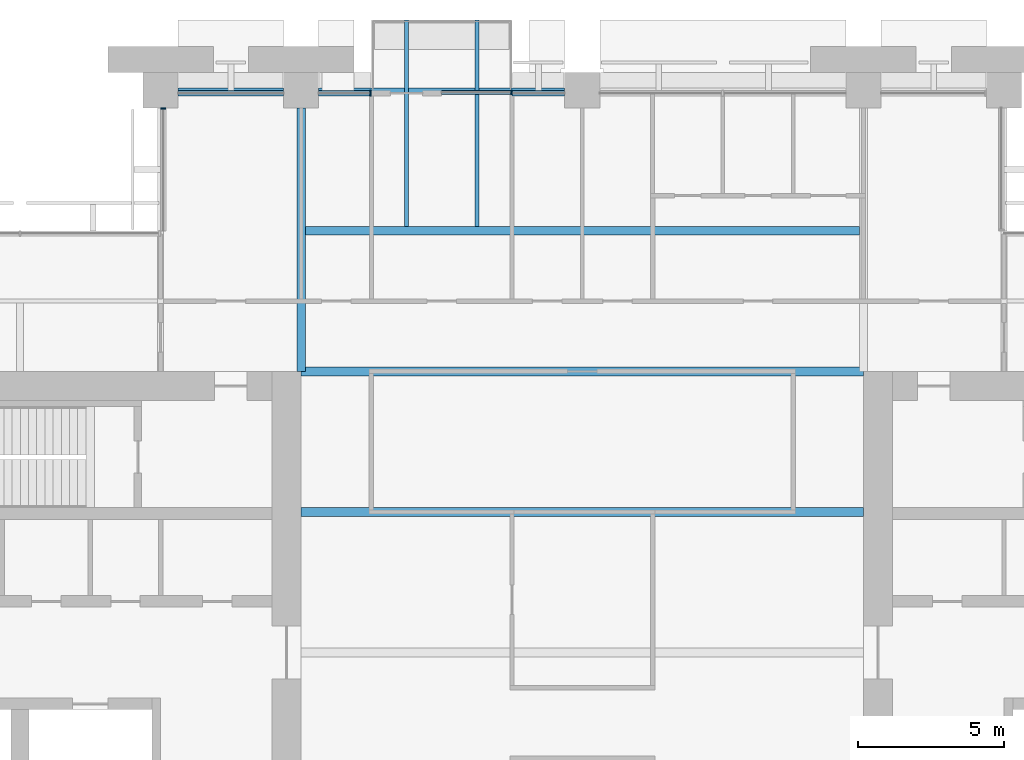
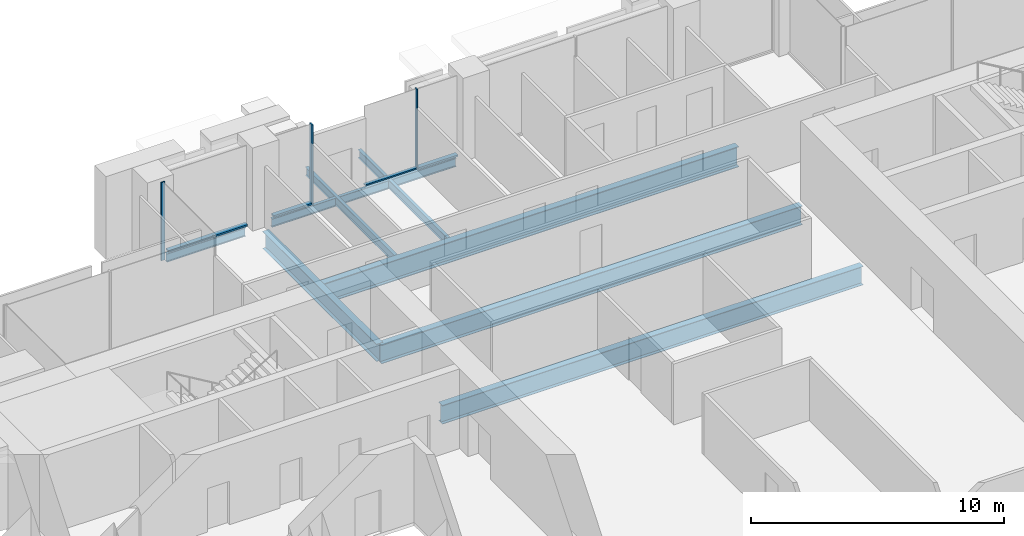
# One storey, part 6 of 15: 10 beams, 7 members, 4 elements without a shape of their own.
"""IFC4 building model written with IfcOpenShell, lengths in metres."""

from ifc_helpers import new_model, si_unit, direction, frame, origin, origin_2d, place, context, subcontext, project, spatial, rectangle, i_section, extrude, material, material_profile, profile_set, type_object, element, aggregate, save


model = new_model("IFC4")

# Units and contexts
model_context = context("Model", 3, precision=1e-05, world=origin(), true_north=direction((0.0, 1.0)))
body_context = subcontext(model_context, "Body", "Model", "MODEL_VIEW")
ifc_project = project(units=[si_unit("LENGTHUNIT", "METRE"), si_unit("AREAUNIT", "SQUARE_METRE"), si_unit("VOLUMEUNIT", "CUBIC_METRE"), si_unit("PLANEANGLEUNIT", "RADIAN"), si_unit("MASSUNIT", "GRAM", prefix="KILO")], contexts=[model_context])

# Site, building, storey
site_placement = place(None, origin())
site = spatial("IfcSite", under=ifc_project, at=site_placement, CompositionType="ELEMENT")
building_placement = place(site_placement, origin())
building = spatial("IfcBuilding", under=site, at=building_placement, Name="Baori Bourse Tower", CompositionType="ELEMENT")
storey_placement = place(building_placement, frame((0.0, 0.0, 128.10009765625)))
storey = spatial("IfcBuildingStorey", under=building, at=storey_placement, Name="L27", CompositionType="ELEMENT", Elevation=128.10009765625)

# Beams
ifc_material_1 = material(Name="Steel A992 Gr 50", Category="steel")
ifc_material_profile_1 = material_profile(ifc_material_1, i_section(OverallWidth=0.140380859375, OverallDepth=0.40380859375, WebThickness=0.007080078125, FlangeThickness=0.01123046875, at=origin_2d()), Name="W16x31")
ifc_profile_set_1 = profile_set([ifc_material_profile_1], Name="Steel A992 Gr 50")
beam_type_1 = type_object("IfcBeamType", Name="Balcony beam W16x31", PredefinedType="BEAM", material=ifc_profile_set_1)
for number, where, z_axis, x_axis, name in (
    (1, (22.800048828125, 50.39990234375, -0.362060546875), (0.0, -1.0, 0.0), (1.0, 0.0, 0.0), "Balcony beam L27"),
    (2, (25.199951171875, 50.39990234375, -0.362060546875), (0.0, -1.0, 0.0), (1.0, 0.0, 0.0), "Balcony beam L27"),
):
    element("IfcBeam", number, at=place(storey_placement, frame(where, z_axis=z_axis, x_axis=x_axis)), inside=storey, type_object=beam_type_1, Name=name, PredefinedType="BEAM", context=body_context, shape_type="SweptSolid", body=[
        extrude(i_section(OverallWidth=0.140380859375, OverallDepth=0.40380859375, WebThickness=0.007080078125, FlangeThickness=0.01123046875, at=origin_2d()), origin(), (0.0, 0.0, 1.0), 7.050048828125),
    ])

# Curtain wall, member
ifc_material_2 = material(Name="Pale anodised aluminium", Category="aluminium")
curtain_wall_type_1 = type_object("IfcCurtainWallType", Name="CW1 Curtain wall", PredefinedType="NOTDEFINED", material=ifc_material_2)
curtain_wall_1_placement = place(storey_placement, origin())
curtain_wall_1 = element("IfcCurtainWall", 3, at=curtain_wall_1_placement, inside=storey, type_object=curtain_wall_type_1, Name="Curtain wall CW1 L27 6", PredefinedType="NOTDEFINED")
ifc_material_3 = material(Name="Pale anodised aluminium", Category="aluminium")
ifc_material_profile_2 = material_profile(ifc_material_3, rectangle(XDim=0.199951171875, YDim=0.06005859375, at=origin_2d()), Name="Mullion 60x200")
ifc_profile_set_2 = profile_set([ifc_material_profile_2], Name="Pale anodised aluminium")
member_type_1 = type_object("IfcMemberType", Name="CW1 Curtain wall mullion", PredefinedType="MULLION", material=ifc_profile_set_2)
member_1_placement = place(storey_placement, frame((21.570068359375, 47.89990234375, 0.079833984375), z_axis=(0.0, 0.0, 1.0), x_axis=(0.0, -1.0, 0.0)))
member_1 = element("IfcMember", 4, at=member_1_placement, type_object=member_type_1, Name="Curtain wall CW1 mullion", PredefinedType="MULLION", context=body_context, shape_type="SweptSolid", body=[
    extrude(rectangle(XDim=0.199951171875, YDim=0.06005859375, at=origin_2d()), origin(), (0.0, 0.0, 1.0), 3.760009765625),
])

curtain_wall_2_placement = place(storey_placement, origin())
curtain_wall_2 = element("IfcCurtainWall", 5, at=curtain_wall_2_placement, inside=storey, type_object=curtain_wall_type_1, Name="Curtain wall CW1 L27 4", PredefinedType="NOTDEFINED")
ifc_material_4 = material(Name="Pale anodised aluminium", Category="aluminium")
ifc_material_profile_3 = material_profile(ifc_material_4, rectangle(XDim=0.199951171875, YDim=0.080078125, at=origin_2d()), Name="Transom 80x200")
ifc_profile_set_3 = profile_set([ifc_material_profile_3], Name="Pale anodised aluminium")
member_type_2 = type_object("IfcMemberType", Name="CW1 Curtain wall transom", PredefinedType="USERDEFINED", material=ifc_profile_set_3)
member_2_placement = place(storey_placement, frame((28.199951171875, 47.89990234375, 0.039794921875), z_axis=(-1.0, 0.0, 0.0), x_axis=(0.0, -1.0, 0.0)))
member_2 = element("IfcMember", 6, at=member_2_placement, type_object=member_type_2, Name="Curtain wall CW1 sill rail", ObjectType="TRANSOM", PredefinedType="USERDEFINED", context=body_context, shape_type="SweptSolid", body=[
    extrude(rectangle(XDim=0.199951171875, YDim=0.080078125, at=origin_2d()), origin(), (0.0, 0.0, 1.0), 1.800048828125),
])
aggregate(curtain_wall_2, [member_2])

# Member
member_3_placement = place(storey_placement, frame((21.60009765625, 47.89990234375, 0.039794921875), z_axis=(-1.0, 0.0, 0.0), x_axis=(0.0, -1.0, 0.0)))
member_3 = element("IfcMember", 7, at=member_3_placement, type_object=member_type_2, Name="Curtain wall CW1 sill rail", ObjectType="TRANSOM", PredefinedType="USERDEFINED", context=body_context, shape_type="SweptSolid", body=[
    extrude(rectangle(XDim=0.199951171875, YDim=0.080078125, at=origin_2d()), origin(), (0.0, 0.0, 1.0), 1.800048828125),
])

member_4_placement = place(storey_placement, frame((18.60009765625, 47.89990234375, 0.039794921875), z_axis=(-1.0, 0.0, 0.0), x_axis=(0.0, -1.0, 0.0)))
member_4 = element("IfcMember", 8, at=member_4_placement, type_object=member_type_2, Name="Curtain wall CW1 sill rail", ObjectType="TRANSOM", PredefinedType="USERDEFINED", context=body_context, shape_type="SweptSolid", body=[
    extrude(rectangle(XDim=0.199951171875, YDim=0.080078125, at=origin_2d()), origin(), (0.0, 0.0, 1.0), 3.60009765625),
])

aggregate(curtain_wall_1, [member_3, member_1, member_4])

# Curtain wall, member
ifc_material_5 = material(Name="Pale anodised aluminium", Category="aluminium")
curtain_wall_type_2 = type_object("IfcCurtainWallType", Name="CW2 Curtain wall", PredefinedType="NOTDEFINED", material=ifc_material_5)
curtain_wall_3_placement = place(storey_placement, origin())
curtain_wall_3 = element("IfcCurtainWall", 9, at=curtain_wall_3_placement, inside=storey, type_object=curtain_wall_type_2, Name="Curtain wall CW2 L27 7", PredefinedType="NOTDEFINED")
ifc_material_6 = material(Name="Pale anodised aluminium", Category="aluminium")
ifc_material_profile_4 = material_profile(ifc_material_6, rectangle(XDim=0.179931640625, YDim=0.054931640625, at=origin_2d()), Name="Mullion 55x180")
ifc_profile_set_4 = profile_set([ifc_material_profile_4], Name="Pale anodised aluminium")
member_type_3 = type_object("IfcMemberType", Name="CW2 Curtain wall mullion", PredefinedType="MULLION", material=ifc_profile_set_4)
member_5_placement = place(storey_placement, frame((14.489990234375, 47.37255859375, 0.06982421875), z_axis=(0.0, 0.0, 1.0), x_axis=(1.0, 0.0, 0.0)))
member_5 = element("IfcMember", 10, at=member_5_placement, type_object=member_type_3, Name="Curtain wall CW2 mullion", PredefinedType="MULLION", context=body_context, shape_type="SweptSolid", body=[
    extrude(rectangle(XDim=0.179931640625, YDim=0.054931640625, at=origin_2d()), origin(), (0.0, 0.0, 1.0), 3.77001953125),
])
aggregate(curtain_wall_3, [member_5])

# Curtain wall, members
ifc_material_7 = material(Name="Pale anodised aluminium", Category="aluminium")
curtain_wall_type_3 = type_object("IfcCurtainWallType", Name="CW6 Curtain wall", PredefinedType="NOTDEFINED", material=ifc_material_7)
curtain_wall_4_placement = place(storey_placement, origin())
curtain_wall_4 = element("IfcCurtainWall", 11, at=curtain_wall_4_placement, inside=storey, type_object=curtain_wall_type_3, Name="Curtain wall CW6 L27 5", PredefinedType="NOTDEFINED")
ifc_material_8 = material(Name="Pale anodised aluminium", Category="aluminium")
ifc_material_profile_5 = material_profile(ifc_material_8, rectangle(XDim=0.14990234375, YDim=0.050048828125, at=origin_2d()), Name="Mullion 50x150")
ifc_profile_set_5 = profile_set([ifc_material_profile_5], Name="Pale anodised aluminium")
member_type_4 = type_object("IfcMemberType", Name="CW6 Curtain wall mullion", PredefinedType="MULLION", material=ifc_profile_set_5)
member_6_placement = place(storey_placement, frame((26.375, 47.925048828125, 0.06494140625), z_axis=(0.0, 0.0, 1.0), x_axis=(0.0, -1.0, 0.0)))
member_6 = element("IfcMember", 12, at=member_6_placement, type_object=member_type_4, Name="Curtain wall CW6 mullion", PredefinedType="MULLION", context=body_context, shape_type="SweptSolid", body=[
    extrude(rectangle(XDim=0.14990234375, YDim=0.050048828125, at=origin_2d()), origin(), (0.0, 0.0, 1.0), 3.77490234375),
])
ifc_material_9 = material(Name="Pale anodised aluminium", Category="aluminium")
ifc_material_profile_6 = material_profile(ifc_material_9, rectangle(XDim=0.14990234375, YDim=0.06494140625, at=origin_2d()), Name="Transom 65x150")
ifc_profile_set_6 = profile_set([ifc_material_profile_6], Name="Pale anodised aluminium")
member_type_5 = type_object("IfcMemberType", Name="CW6 Curtain wall transom", PredefinedType="USERDEFINED", material=ifc_profile_set_6)
member_7_placement = place(storey_placement, frame((26.39990234375, 47.925048828125, 0.032470703125), z_axis=(-1.0, 0.0, 0.0), x_axis=(0.0, -1.0, 0.0)))
member_7 = element("IfcMember", 13, at=member_7_placement, type_object=member_type_5, Name="Curtain wall CW6 sill rail", ObjectType="TRANSOM", PredefinedType="USERDEFINED", context=body_context, shape_type="SweptSolid", body=[
    extrude(rectangle(XDim=0.14990234375, YDim=0.06494140625, at=origin_2d()), origin(), (0.0, 0.0, 1.0), 2.39990234375),
])
aggregate(curtain_wall_4, [member_7, member_6])

# Beams
ifc_material_10 = material(Name="Steel A992 Gr 50", Category="steel")
ifc_material_profile_7 = material_profile(ifc_material_10, i_section(OverallWidth=0.140380859375, OverallDepth=0.40380859375, WebThickness=0.007080078125, FlangeThickness=0.01123046875, at=origin_2d()), Name="W16x31")
ifc_profile_set_7 = profile_set([ifc_material_profile_7], Name="Steel A992 Gr 50")
beam_type_2 = type_object("IfcBeamType", Name="Edge beam W16x31", PredefinedType="BEAM", material=ifc_profile_set_7)
beam_1_placement = place(storey_placement, frame((15.0, 48.0, -0.362060546875), z_axis=(1.0, 0.0, 0.0), x_axis=(0.0, 1.0, 0.0)))
element("IfcBeam", 14, at=beam_1_placement, inside=storey, type_object=beam_type_2, Name="Edge beam L27", PredefinedType="BEAM", context=body_context, shape_type="SweptSolid", body=[
    extrude(i_section(OverallWidth=0.140380859375, OverallDepth=0.40380859375, WebThickness=0.007080078125, FlangeThickness=0.01123046875, at=origin_2d()), origin(), (0.0, 0.0, 1.0), 3.60009765625),
])
beam_2_placement = place(storey_placement, frame((19.800048828125, 48.0, -0.362060546875), z_axis=(1.0, 0.0, 0.0), x_axis=(0.0, 1.0, 0.0)))
element("IfcBeam", 15, at=beam_2_placement, inside=storey, type_object=beam_type_2, Name="Edge beam L27", PredefinedType="BEAM", context=body_context, shape_type="SweptSolid", body=[
    extrude(i_section(OverallWidth=0.140380859375, OverallDepth=0.40380859375, WebThickness=0.007080078125, FlangeThickness=0.01123046875, at=origin_2d()), origin(), (0.0, 0.0, 1.0), 2.9296875),
])
beam_3_placement = place(storey_placement, frame((22.8701171875, 48.0, -0.362060546875), z_axis=(1.0, 0.0, 0.0), x_axis=(0.0, 1.0, 0.0)))
element("IfcBeam", 16, at=beam_3_placement, inside=storey, type_object=beam_type_2, Name="Edge beam L27", PredefinedType="BEAM", context=body_context, shape_type="SweptSolid", body=[
    extrude(i_section(OverallWidth=0.140380859375, OverallDepth=0.40380859375, WebThickness=0.007080078125, FlangeThickness=0.01123046875, at=origin_2d()), origin(), (0.0, 0.0, 1.0), 2.259765625),
])
beam_4_placement = place(storey_placement, frame((25.270263671875, 48.0, -0.362060546875), z_axis=(1.0, 0.0, 0.0), x_axis=(0.0, 1.0, 0.0)))
element("IfcBeam", 17, at=beam_4_placement, inside=storey, type_object=beam_type_2, Name="Edge beam L27", PredefinedType="BEAM", context=body_context, shape_type="SweptSolid", body=[
    extrude(i_section(OverallWidth=0.140380859375, OverallDepth=0.40380859375, WebThickness=0.007080078125, FlangeThickness=0.01123046875, at=origin_2d()), origin(), (0.0, 0.0, 1.0), 2.9296875),
])
ifc_material_11 = material(Name="Steel A992 Gr 50", Category="steel")
ifc_material_profile_8 = material_profile(ifc_material_11, i_section(OverallWidth=0.3046875, OverallDepth=0.904296875, WebThickness=0.01513671875, FlangeThickness=0.02001953125, at=origin_2d()), Name="W36x135")
ifc_profile_set_8 = profile_set([ifc_material_profile_8], Name="Steel A992 Gr 50")
beam_type_3 = type_object("IfcBeamType", Name="Floor beam W36x135", PredefinedType="BEAM", material=ifc_profile_set_8)
for number, where, z_axis, x_axis, name in (
    (18, (19.199951171875, 33.60009765625, -0.6123046875), (1.0, 0.0, 0.0), (0.0, 1.0, 0.0), "Floor beam L27"),
    (19, (19.199951171875, 38.39990234375, -0.6123046875), (1.0, 0.0, 0.0), (0.0, 1.0, 0.0), "Floor beam L27"),
):
    element("IfcBeam", number, at=place(storey_placement, frame(where, z_axis=z_axis, x_axis=x_axis)), inside=storey, type_object=beam_type_3, Name=name, PredefinedType="BEAM", context=body_context, shape_type="SweptSolid", body=[
        extrude(i_section(OverallWidth=0.3046875, OverallDepth=0.904296875, WebThickness=0.01513671875, FlangeThickness=0.02001953125, at=origin_2d()), origin(), (0.0, 0.0, 1.0), 19.199951171875),
    ])
ifc_material_12 = material(Name="Steel A992 Gr 50", Category="steel")
ifc_material_profile_9 = material_profile(ifc_material_12, i_section(OverallWidth=0.2998046875, OverallDepth=0.990478515625, WebThickness=0.0166015625, FlangeThickness=0.030517578125, at=origin_2d()), Name="W40x183")
ifc_profile_set_9 = profile_set([ifc_material_profile_9], Name="Steel A992 Gr 50")
beam_type_4 = type_object("IfcBeamType", Name="Floor beam W40x183", PredefinedType="BEAM", material=ifc_profile_set_9)
beam_5_placement = place(storey_placement, frame((19.345947265625, 43.199951171875, -0.655517578125), z_axis=(1.0, 0.0, 0.0), x_axis=(0.0, 1.0, 0.0)))
element("IfcBeam", 20, at=beam_5_placement, inside=storey, type_object=beam_type_4, Name="Floor beam L27", PredefinedType="BEAM", context=body_context, shape_type="SweptSolid", body=[
    extrude(i_section(OverallWidth=0.2998046875, OverallDepth=0.990478515625, WebThickness=0.0166015625, FlangeThickness=0.030517578125, at=origin_2d()), origin(), (0.0, 0.0, 1.0), 18.920654296875),
])
ifc_material_13 = material(Name="Steel A992 Gr 50", Category="steel")
ifc_material_profile_10 = material_profile(ifc_material_13, i_section(OverallWidth=0.2919921875, OverallDepth=0.835693359375, WebThickness=0.013916015625, FlangeThickness=0.018798828125, at=origin_2d()), Name="W33x118")
ifc_profile_set_10 = profile_set([ifc_material_profile_10], Name="Steel A992 Gr 50")
beam_type_5 = type_object("IfcBeamType", Name="Girder W33x118", PredefinedType="BEAM", material=ifc_profile_set_10)
beam_6_placement = place(storey_placement, frame((19.199951171875, 38.39990234375, -0.577880859375), z_axis=(0.0, 1.0, 0.0), x_axis=(-1.0, 0.0, 0.0)))
element("IfcBeam", 21, at=beam_6_placement, inside=storey, type_object=beam_type_5, Name="Girder L27", PredefinedType="BEAM", context=body_context, shape_type="SweptSolid", body=[
    extrude(i_section(OverallWidth=0.2919921875, OverallDepth=0.835693359375, WebThickness=0.013916015625, FlangeThickness=0.018798828125, at=origin_2d()), origin(), (0.0, 0.0, 1.0), 9.0),
])

save(model, "model.ifc")
